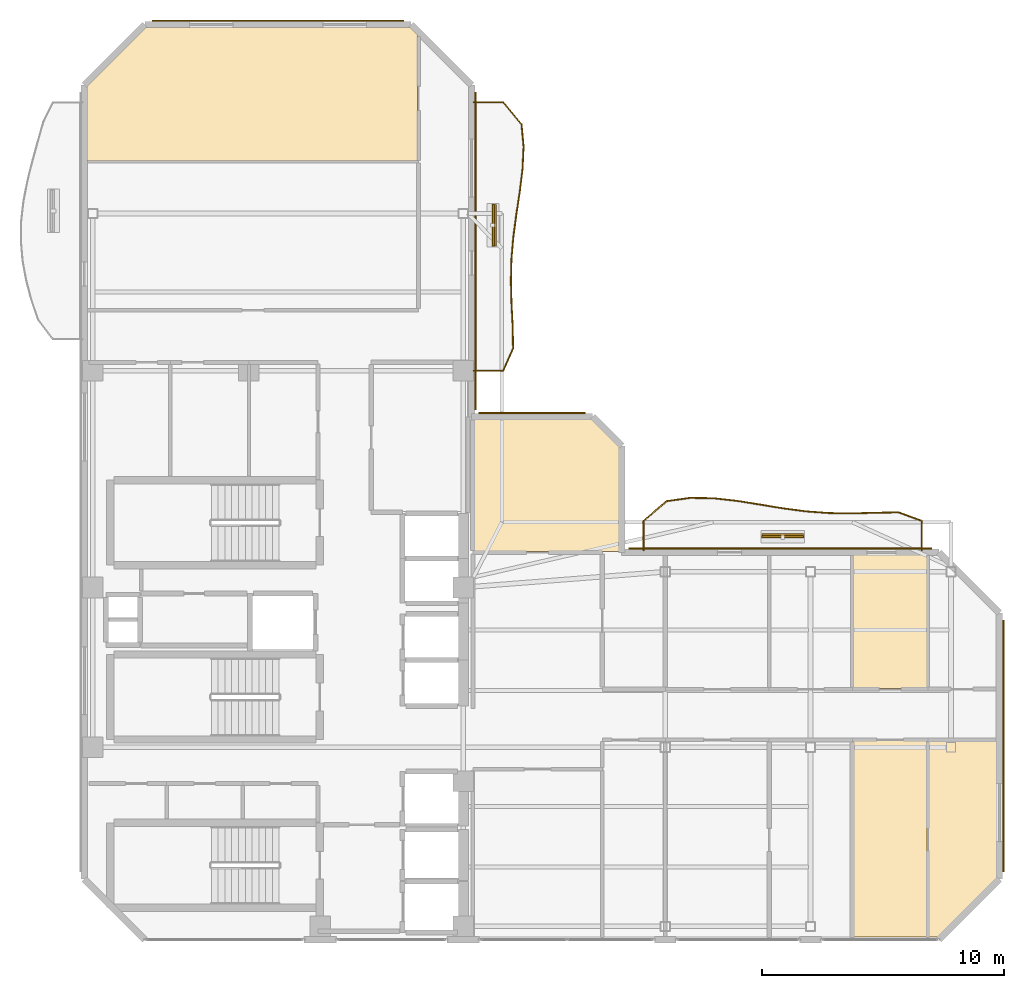
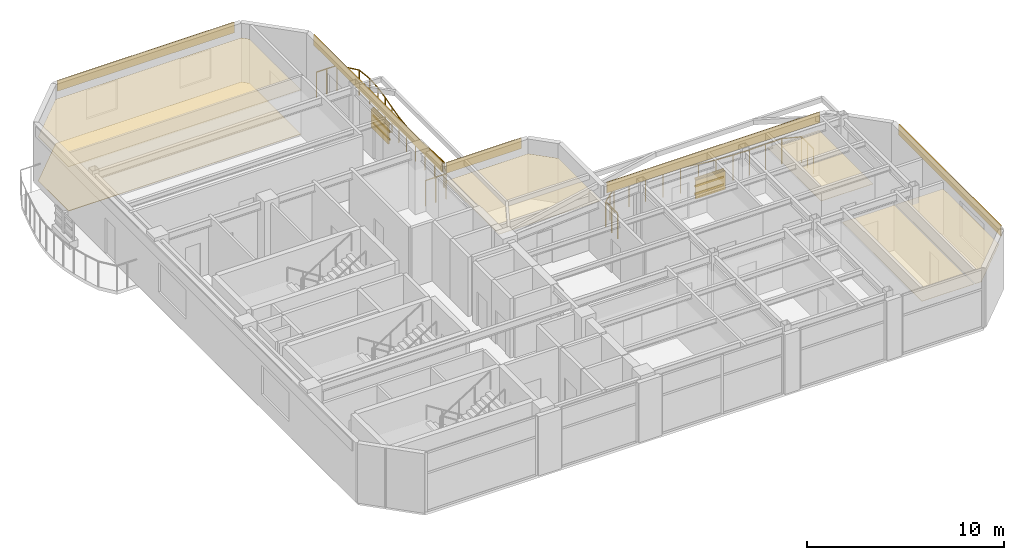
# One storey, part 15 of 15: 11 coverings, 8 shading devices, 2 railings.
"""IFC4 building model written with IfcOpenShell, lengths in metres."""

from ifc_helpers import new_model, si_unit, direction, frame, origin, origin_2d, place, context, subcontext, project, spatial, polyline, rectangle, outline, extrude, material, layer, layer_set, material_profile, profile_set, type_object, element, save


model = new_model("IFC4")

# Units and contexts
model_context = context("Model", 3, precision=1e-05, world=origin(), true_north=direction((0.0, 1.0)))
body_context = subcontext(model_context, "Body", "Model", "MODEL_VIEW")
ifc_project = project(units=[si_unit("LENGTHUNIT", "METRE"), si_unit("AREAUNIT", "SQUARE_METRE"), si_unit("VOLUMEUNIT", "CUBIC_METRE"), si_unit("PLANEANGLEUNIT", "RADIAN"), si_unit("MASSUNIT", "GRAM", prefix="KILO")], contexts=[model_context])

# Site, building, storey
site_placement = place(None, origin())
site = spatial("IfcSite", under=ifc_project, at=site_placement, CompositionType="ELEMENT")
building_placement = place(site_placement, origin())
building = spatial("IfcBuilding", under=site, at=building_placement, Name="Mawjaban Terraces University", CompositionType="ELEMENT")
storey_placement = place(building_placement, frame((0.0, 0.0, 279.39990234375)))
storey = spatial("IfcBuildingStorey", under=building, at=storey_placement, Name="L68", CompositionType="ELEMENT", Elevation=279.39990234375)

# Coverings
ifc_material_1 = material(Name="Acoustic mineral fibre ceiling tile", Category="masonry")
ifc_layer_1 = layer(ifc_material_1, 0.02001953125)
ifc_layer_set_1 = layer_set([ifc_layer_1], Name="Acoustic mineral fibre ceiling tile")
covering_type_1 = type_object("IfcCoveringType", Name="AcousticMineralCeiling_20", PredefinedType="CEILING", material=ifc_layer_set_1)
covering_1_placement = place(storey_placement, frame((0.0, 0.0, 2.75)))
element("IfcCovering", 1, at=covering_1_placement, inside=storey, type_object=covering_type_1, Name="L68 Teaching Laboratory 8 Acoustic Ceiling", PredefinedType="CEILING", context=body_context, shape_type="SweptSolid", body=[
    extrude(outline(polyline([(53.761962890625, 0.114990234375), (56.818115234375, 0.114990234375), (56.818115234375, 8.219970703125), (53.761962890625, 8.219970703125), (53.761962890625, 0.114990234375)])), origin(), (0.0, 0.0, 1.0), 0.02001953125),
])
covering_2_placement = place(storey_placement, frame((0.0, 0.0, 2.75)))
element("IfcCovering", 2, at=covering_2_placement, inside=storey, type_object=covering_type_1, Name="L68 Student Tea Pantry 9 Acoustic Ceiling", PredefinedType="CEILING", context=body_context, shape_type="SweptSolid", body=[
    extrude(outline(polyline([(56.818115234375, 15.885009765625), (53.761962890625, 15.885009765625), (53.761962890625, 10.3798828125), (56.818115234375, 10.3798828125), (56.818115234375, 15.885009765625)])), origin(), (0.0, 0.0, 1.0), 0.02001953125),
])
covering_3_placement = place(storey_placement, frame((0.0, 0.0, 2.75)))
element("IfcCovering", 3, at=covering_3_placement, inside=storey, type_object=covering_type_1, Name="L68 Student Tea Pantry 10 Acoustic Ceiling", PredefinedType="CEILING", context=body_context, shape_type="SweptSolid", body=[
    extrude(outline(polyline([(56.8779296875, 0.114990234375), (57.2529296875, 0.114990234375), (59.68505859375, 2.547119140625), (59.68505859375, 8.219970703125), (56.8779296875, 8.219970703125), (56.8779296875, 0.114990234375)])), origin(), (0.0, 0.0, 1.0), 0.02001953125),
])
covering_4_placement = place(storey_placement, frame((0.0, 0.0, 2.75)))
element("IfcCovering", 4, at=covering_4_placement, inside=storey, type_object=covering_type_1, Name="L68 Classroom 13 Acoustic Ceiling", PredefinedType="CEILING", context=body_context, shape_type="SweptSolid", body=[
    extrude(outline(polyline([(35.77001953125, 37.367919921875), (35.452880859375, 37.68505859375), (24.547119140625, 37.68505859375), (22.114990234375, 35.2529296875), (22.114990234375, 32.166015625), (35.77001953125, 32.166015625), (35.77001953125, 37.367919921875)])), origin(), (0.0, 0.0, 1.0), 0.02001953125),
])
covering_5_placement = place(storey_placement, frame((0.0, 0.0, 2.75)))
element("IfcCovering", 5, at=covering_5_placement, inside=storey, type_object=covering_type_1, Name="L68 Terrace Collaborative Study Room Acoustic Ceiling", PredefinedType="CEILING", context=body_context, shape_type="SweptSolid", body=[
    extrude(outline(polyline([(44.0849609375, 16.030029296875), (44.0849609375, 20.35302734375), (42.952880859375, 21.485107421875), (38.080078125, 21.485107421875), (38.080078125, 16.030029296875), (44.0849609375, 16.030029296875)])), origin(), (0.0, 0.0, 1.0), 0.02001953125),
])

# Railings
ifc_material_2 = material(Name="Galvanised powder-coated steel S355", Category="steel")
railing_type = type_object("IfcRailingType", Name="BalconyBalustrade_1600", PredefinedType="BALUSTRADE", material=ifc_material_2)
railing_1_placement = place(storey_placement, frame((45.10009765625, 16.080078125, 0.0)))
element("IfcRailing", 6, at=railing_1_placement, inside=storey, type_object=railing_type, Name="L68 Balcony Guardrail inner_north", PredefinedType="BALUSTRADE", context=body_context, shape_type="SweptSolid", body=[
    extrude(rectangle(XDim=0.048095703125, YDim=0.048095703125, at=origin_2d()), frame((0.0, 0.0, 1.576171875), z_axis=(0.0, 1.0, 0.0), x_axis=(-1.0, 0.0, 0.0)), (0.0, 0.0, 1.0), 1.219970703125),
    extrude(rectangle(XDim=0.048095703125, YDim=0.048095703125, at=origin_2d()), frame((0.0, 1.219970703125, 1.576171875), z_axis=(0.760158380874, 0.649737820961, 0.0), x_axis=(-0.649737820961, 0.760158380874, 0.0)), (0.0, 0.0, 1.0), 1.26025390625),
    extrude(rectangle(XDim=0.048095703125, YDim=0.048095703125, at=origin_2d()), frame((0.9580078125, 2.038818359375, 1.576171875), z_axis=(0.990511352729, 0.137430928523, 0.0), x_axis=(-0.137430928523, 0.990511352729, 0.0)), (0.0, 0.0, 1.0), 0.96826171875),
    extrude(rectangle(XDim=0.048095703125, YDim=0.048095703125, at=origin_2d()), frame((1.9169921875, 2.171875, 1.576171875), z_axis=(0.999908798007, -0.013505394061, 0.0), x_axis=(0.013505394061, 0.999908798007, 0.0)), (0.0, 0.0, 1.0), 0.9580078125),
    extrude(rectangle(XDim=0.048095703125, YDim=0.048095703125, at=origin_2d()), frame((2.875, 2.158935546875, 1.576171875), z_axis=(0.994049424747, -0.108929982834, 0.0), x_axis=(0.108929982834, 0.994049424747, 0.0)), (0.0, 0.0, 1.0), 0.963623046875),
    extrude(rectangle(XDim=0.048095703125, YDim=0.048095703125, at=origin_2d()), frame((3.8330078125, 2.053955078125, 1.576171875), z_axis=(0.987498610793, -0.157627705949, 0.0), x_axis=(0.157627705949, 0.987498610793, 0.0)), (0.0, 0.0, 1.0), 0.97119140625),
    extrude(rectangle(XDim=0.048095703125, YDim=0.048095703125, at=origin_2d()), frame((4.7919921875, 1.90087890625, 1.576171875), z_axis=(0.986677863453, -0.162686181869, 0.0), x_axis=(0.162686181869, 0.986677863453, 0.0)), (0.0, 0.0, 1.0), 0.970947265625),
    extrude(rectangle(XDim=0.048095703125, YDim=0.048095703125, at=origin_2d()), frame((5.75, 1.742919921875, 1.576171875), z_axis=(0.991333489884, -0.131369371748, 0.0), x_axis=(0.131369371748, 0.991333489884, 0.0)), (0.0, 0.0, 1.0), 0.96630859375),
    extrude(rectangle(XDim=0.048095703125, YDim=0.048095703125, at=origin_2d()), frame((6.7080078125, 1.615966796875, 1.576171875), z_axis=(0.99726706168, -0.073881037411, 0.0), x_axis=(0.073881037411, 0.99726706168, 0.0)), (0.0, 0.0, 1.0), 0.961669921875),
    extrude(rectangle(XDim=0.048095703125, YDim=0.048095703125, at=origin_2d()), frame((7.6669921875, 1.544921875, 1.576171875), z_axis=(0.999908798007, -0.013505394061, 0.0), x_axis=(0.013505394061, 0.999908798007, 0.0)), (0.0, 0.0, 1.0), 0.9580078125),
    extrude(rectangle(XDim=0.048095703125, YDim=0.048095703125, at=origin_2d()), frame((8.625, 1.531982421875, 1.576171875), z_axis=(0.999607317535, 0.028021611857, 0.0), x_axis=(-0.028021611857, 0.999607317535, 0.0)), (0.0, 0.0, 1.0), 0.95849609375),
    extrude(rectangle(XDim=0.048095703125, YDim=0.048095703125, at=origin_2d()), frame((9.5830078125, 1.558837890625, 1.576171875), z_axis=(0.999858868821, 0.016800072643, 0.0), x_axis=(-0.016800072643, 0.999858868821, 0.0)), (0.0, 0.0, 1.0), 0.959228515625),
    extrude(rectangle(XDim=0.048095703125, YDim=0.048095703125, at=origin_2d()), frame((10.5419921875, 1.574951171875, 1.576171875), z_axis=(0.93769686411, -0.347454444551, 0.0), x_axis=(0.347454444551, 0.93769686411, 0.0)), (0.0, 0.0, 1.0), 1.021728515625),
    extrude(rectangle(XDim=0.048095703125, YDim=0.048095703125, at=origin_2d()), frame((11.5, 1.219970703125, 1.576171875), z_axis=(0.0, -1.0, 0.0), x_axis=(1.0, 0.0, 0.0)), (0.0, 0.0, 1.0), 1.219970703125),
    extrude(rectangle(XDim=0.0419921875, YDim=0.0419921875, at=origin_2d()), origin(), (0.0, 0.0, 1.0), 1.552001953125),
    extrude(rectangle(XDim=0.0419921875, YDim=0.0419921875, at=origin_2d()), frame((0.0, 0.60986328125, 0.0)), (0.0, 0.0, 1.0), 1.552001953125),
    extrude(rectangle(XDim=0.0419921875, YDim=0.0419921875, at=origin_2d()), frame((0.0, 1.219970703125, 0.0)), (0.0, 0.0, 1.0), 1.552001953125),
    extrude(rectangle(XDim=0.0419921875, YDim=0.0419921875, at=origin_2d()), frame((0.47900390625, 1.62939453125, 0.0)), (0.0, 0.0, 1.0), 1.552001953125),
    extrude(rectangle(XDim=0.0419921875, YDim=0.0419921875, at=origin_2d()), frame((0.9580078125, 2.038818359375, 0.0)), (0.0, 0.0, 1.0), 1.552001953125),
    extrude(rectangle(XDim=0.0419921875, YDim=0.0419921875, at=origin_2d()), frame((1.9169921875, 2.171875, 0.0)), (0.0, 0.0, 1.0), 1.552001953125),
    extrude(rectangle(XDim=0.0419921875, YDim=0.0419921875, at=origin_2d()), frame((2.875, 2.158935546875, 0.0)), (0.0, 0.0, 1.0), 1.552001953125),
    extrude(rectangle(XDim=0.0419921875, YDim=0.0419921875, at=origin_2d()), frame((3.8330078125, 2.053955078125, 0.0)), (0.0, 0.0, 1.0), 1.552001953125),
    extrude(rectangle(XDim=0.0419921875, YDim=0.0419921875, at=origin_2d()), frame((4.7919921875, 1.90087890625, 0.0)), (0.0, 0.0, 1.0), 1.552001953125),
    extrude(rectangle(XDim=0.0419921875, YDim=0.0419921875, at=origin_2d()), frame((5.75, 1.742919921875, 0.0)), (0.0, 0.0, 1.0), 1.552001953125),
    extrude(rectangle(XDim=0.0419921875, YDim=0.0419921875, at=origin_2d()), frame((6.7080078125, 1.615966796875, 0.0)), (0.0, 0.0, 1.0), 1.552001953125),
    extrude(rectangle(XDim=0.0419921875, YDim=0.0419921875, at=origin_2d()), frame((7.6669921875, 1.544921875, 0.0)), (0.0, 0.0, 1.0), 1.552001953125),
    extrude(rectangle(XDim=0.0419921875, YDim=0.0419921875, at=origin_2d()), frame((8.625, 1.531982421875, 0.0)), (0.0, 0.0, 1.0), 1.552001953125),
    extrude(rectangle(XDim=0.0419921875, YDim=0.0419921875, at=origin_2d()), frame((9.5830078125, 1.558837890625, 0.0)), (0.0, 0.0, 1.0), 1.552001953125),
    extrude(rectangle(XDim=0.0419921875, YDim=0.0419921875, at=origin_2d()), frame((10.5419921875, 1.574951171875, 0.0)), (0.0, 0.0, 1.0), 1.552001953125),
    extrude(rectangle(XDim=0.0419921875, YDim=0.0419921875, at=origin_2d()), frame((11.5, 1.219970703125, 0.0)), (0.0, 0.0, 1.0), 1.552001953125),
    extrude(rectangle(XDim=0.0419921875, YDim=0.0419921875, at=origin_2d()), frame((11.5, 0.60986328125, 0.0)), (0.0, 0.0, 1.0), 1.552001953125),
    extrude(rectangle(XDim=0.0419921875, YDim=0.0419921875, at=origin_2d()), frame((11.5, 0.0, 0.0)), (0.0, 0.0, 1.0), 1.552001953125),
])
railing_2_placement = place(storey_placement, frame((38.080078125, 23.5, 0.0)))
element("IfcRailing", 7, at=railing_2_placement, inside=storey, type_object=railing_type, Name="L68 Balcony Guardrail inner_east", PredefinedType="BALUSTRADE", context=body_context, shape_type="SweptSolid", body=[
    extrude(rectangle(XDim=0.048095703125, YDim=0.048095703125, at=origin_2d()), frame((0.0, 0.0, 1.576171875), z_axis=(1.0, 0.0, 0.0), x_axis=(0.0, 1.0, 0.0)), (0.0, 0.0, 1.0), 1.219970703125),
    extrude(rectangle(XDim=0.048095703125, YDim=0.048095703125, at=origin_2d()), frame((1.219970703125, 0.0, 1.576171875), z_axis=(0.408550924657, 0.912735526843, 0.0), x_axis=(-0.912735526843, 0.408550924657, 0.0)), (0.0, 0.0, 1.0), 1.013427734375),
    extrude(rectangle(XDim=0.048095703125, YDim=0.048095703125, at=origin_2d()), frame((1.634033203125, 0.925048828125, 1.576171875), z_axis=(-0.017416202044, 0.999848326451, 0.0), x_axis=(-0.999848326451, -0.017416202044, 0.0)), (0.0, 0.0, 1.0), 0.92529296875),
    extrude(rectangle(XDim=0.048095703125, YDim=0.048095703125, at=origin_2d()), frame((1.617919921875, 1.85009765625, 1.576171875), z_axis=(-0.051936148439, 0.998650407543, 0.0), x_axis=(-0.998650407543, -0.051936148439, 0.0)), (0.0, 0.0, 1.0), 0.926025390625),
    extrude(rectangle(XDim=0.048095703125, YDim=0.048095703125, at=origin_2d()), frame((1.56982421875, 2.77490234375, 1.576171875), z_axis=(-0.027964778138, 0.999608909116, 0.0), x_axis=(-0.999608909116, -0.027964778138, 0.0)), (0.0, 0.0, 1.0), 0.92529296875),
    extrude(rectangle(XDim=0.048095703125, YDim=0.048095703125, at=origin_2d()), frame((1.5439453125, 3.699951171875, 1.576171875), z_axis=(0.025855697331, 0.999665685575, 0.0), x_axis=(-0.999665685575, 0.025855697331, 0.0)), (0.0, 0.0, 1.0), 0.92529296875),
    extrude(rectangle(XDim=0.048095703125, YDim=0.048095703125, at=origin_2d()), frame((1.56787109375, 4.625, 1.576171875), z_axis=(0.086243835153, 0.996274059131, 0.0), x_axis=(-0.996274059131, 0.086243835153, 0.0)), (0.0, 0.0, 1.0), 0.928466796875),
    extrude(rectangle(XDim=0.048095703125, YDim=0.048095703125, at=origin_2d()), frame((1.64794921875, 5.550048828125, 1.576171875), z_axis=(0.132883319508, 0.991131688221, 0.0), x_axis=(-0.991131688221, 0.132883319508, 0.0)), (0.0, 0.0, 1.0), 0.933349609375),
    extrude(rectangle(XDim=0.048095703125, YDim=0.048095703125, at=origin_2d()), frame((1.77197265625, 6.47509765625, 1.576171875), z_axis=(0.147523258078, 0.989058586903, 0.0), x_axis=(-0.989058586903, 0.147523258078, 0.0)), (0.0, 0.0, 1.0), 0.93505859375),
    extrude(rectangle(XDim=0.048095703125, YDim=0.048095703125, at=origin_2d()), frame((1.909912109375, 7.39990234375, 1.576171875), z_axis=(0.122325897089, 0.992489987305, 0.0), x_axis=(-0.992489987305, 0.122325897089, 0.0)), (0.0, 0.0, 1.0), 0.93212890625),
    extrude(rectangle(XDim=0.048095703125, YDim=0.048095703125, at=origin_2d()), frame((2.02392578125, 8.324951171875, 1.576171875), z_axis=(0.048504467056, 0.998822965633, 0.0), x_axis=(-0.998822965633, 0.048504467056, 0.0)), (0.0, 0.0, 1.0), 0.926025390625),
    extrude(rectangle(XDim=0.048095703125, YDim=0.048095703125, at=origin_2d()), frame((2.06884765625, 9.25, 1.576171875), z_axis=(-0.091459870535, 0.995808762806, 0.0), x_axis=(-0.995808762806, -0.091459870535, 0.0)), (0.0, 0.0, 1.0), 0.928955078125),
    extrude(rectangle(XDim=0.048095703125, YDim=0.048095703125, at=origin_2d()), frame((1.98388671875, 10.175048828125, 1.576171875), z_axis=(-0.636755221993, 0.771066007073, 0.0), x_axis=(-0.771066007073, -0.636755221993, 0.0)), (0.0, 0.0, 1.0), 1.19970703125),
    extrude(rectangle(XDim=0.048095703125, YDim=0.048095703125, at=origin_2d()), frame((1.219970703125, 11.10009765625, 1.576171875), z_axis=(-1.0, 0.0, 0.0), x_axis=(0.0, -1.0, 0.0)), (0.0, 0.0, 1.0), 1.219970703125),
    extrude(rectangle(XDim=0.0419921875, YDim=0.0419921875, at=origin_2d()), origin(), (0.0, 0.0, 1.0), 1.552001953125),
    extrude(rectangle(XDim=0.0419921875, YDim=0.0419921875, at=origin_2d()), frame((0.60986328125, 0.0, 0.0)), (0.0, 0.0, 1.0), 1.552001953125),
    extrude(rectangle(XDim=0.0419921875, YDim=0.0419921875, at=origin_2d()), frame((1.219970703125, 0.0, 0.0)), (0.0, 0.0, 1.0), 1.552001953125),
    extrude(rectangle(XDim=0.0419921875, YDim=0.0419921875, at=origin_2d()), frame((1.634033203125, 0.925048828125, 0.0)), (0.0, 0.0, 1.0), 1.552001953125),
    extrude(rectangle(XDim=0.0419921875, YDim=0.0419921875, at=origin_2d()), frame((1.617919921875, 1.85009765625, 0.0)), (0.0, 0.0, 1.0), 1.552001953125),
    extrude(rectangle(XDim=0.0419921875, YDim=0.0419921875, at=origin_2d()), frame((1.56982421875, 2.77490234375, 0.0)), (0.0, 0.0, 1.0), 1.552001953125),
    extrude(rectangle(XDim=0.0419921875, YDim=0.0419921875, at=origin_2d()), frame((1.5439453125, 3.699951171875, 0.0)), (0.0, 0.0, 1.0), 1.552001953125),
    extrude(rectangle(XDim=0.0419921875, YDim=0.0419921875, at=origin_2d()), frame((1.56787109375, 4.625, 0.0)), (0.0, 0.0, 1.0), 1.552001953125),
    extrude(rectangle(XDim=0.0419921875, YDim=0.0419921875, at=origin_2d()), frame((1.64794921875, 5.550048828125, 0.0)), (0.0, 0.0, 1.0), 1.552001953125),
    extrude(rectangle(XDim=0.0419921875, YDim=0.0419921875, at=origin_2d()), frame((1.77197265625, 6.47509765625, 0.0)), (0.0, 0.0, 1.0), 1.552001953125),
    extrude(rectangle(XDim=0.0419921875, YDim=0.0419921875, at=origin_2d()), frame((1.909912109375, 7.39990234375, 0.0)), (0.0, 0.0, 1.0), 1.552001953125),
    extrude(rectangle(XDim=0.0419921875, YDim=0.0419921875, at=origin_2d()), frame((2.02392578125, 8.324951171875, 0.0)), (0.0, 0.0, 1.0), 1.552001953125),
    extrude(rectangle(XDim=0.0419921875, YDim=0.0419921875, at=origin_2d()), frame((2.06884765625, 9.25, 0.0)), (0.0, 0.0, 1.0), 1.552001953125),
    extrude(rectangle(XDim=0.0419921875, YDim=0.0419921875, at=origin_2d()), frame((1.98388671875, 10.175048828125, 0.0)), (0.0, 0.0, 1.0), 1.552001953125),
    extrude(rectangle(XDim=0.0419921875, YDim=0.0419921875, at=origin_2d()), frame((1.219970703125, 11.10009765625, 0.0)), (0.0, 0.0, 1.0), 1.552001953125),
    extrude(rectangle(XDim=0.0419921875, YDim=0.0419921875, at=origin_2d()), frame((0.60986328125, 11.10009765625, 0.0)), (0.0, 0.0, 1.0), 1.552001953125),
    extrude(rectangle(XDim=0.0419921875, YDim=0.0419921875, at=origin_2d()), frame((0.0, 11.10009765625, 0.0)), (0.0, 0.0, 1.0), 1.552001953125),
])

# Shading devices
ifc_material_3 = material(Name="Glazed architectural terracotta ceramic", Category="masonry")
ifc_material_profile = material_profile(ifc_material_3, rectangle(XDim=0.06494140625, YDim=0.110107421875, at=origin_2d()), Name="TBAG110X65")
ifc_profile_set = profile_set([ifc_material_profile], Name="Glazed architectural terracotta ceramic")
shading_device_type_1 = type_object("IfcShadingDeviceType", Name="TerracottaBaguette_110x65", PredefinedType="USERDEFINED", material=ifc_profile_set)
for number, where, z_axis, x_axis, name in (
    (8, (50.0, 16.72998046875, 0.68017578125), (1.0, 0.0, 0.0), (0.0, 1.0, 0.0), "L68 Horizontal Terracotta Baguette inner_north.1"),
    (9, (50.0, 16.72998046875, 1.150146484375), (1.0, 0.0, 0.0), (0.0, 1.0, 0.0), "L68 Horizontal Terracotta Baguette inner_north.2"),
    (10, (50.0, 16.72998046875, 1.6201171875), (1.0, 0.0, 0.0), (0.0, 1.0, 0.0), "L68 Horizontal Terracotta Baguette inner_north.3"),
    (11, (38.97509765625, 28.6630859375, 0.68017578125), (0.0, 1.0, 0.0), (-1.0, 0.0, 0.0), "L68 Horizontal Terracotta Baguette inner_east.1"),
    (12, (38.97509765625, 28.6630859375, 1.150146484375), (0.0, 1.0, 0.0), (-1.0, 0.0, 0.0), "L68 Horizontal Terracotta Baguette inner_east.2"),
    (13, (38.97509765625, 28.6630859375, 1.6201171875), (0.0, 1.0, 0.0), (-1.0, 0.0, 0.0), "L68 Horizontal Terracotta Baguette inner_east.3"),
):
    element("IfcShadingDevice", number, at=place(storey_placement, frame(where, z_axis=z_axis, x_axis=x_axis)), inside=storey, type_object=shading_device_type_1, Name=name, ObjectType="BAGUETTE", PredefinedType="USERDEFINED", context=body_context, shape_type="SweptSolid", body=[
        extrude(rectangle(XDim=0.06494140625, YDim=0.110107421875, at=origin_2d()), origin(), (0.0, 0.0, 1.0), 1.699951171875),
    ])
ifc_layer_2 = layer(ifc_material_3, 0.080078125)
ifc_layer_set_2 = layer_set([ifc_layer_2], Name="Glazed architectural terracotta ceramic")
shading_device_type_2 = type_object("IfcShadingDeviceType", Name="TerracottaScreen_Perforated", PredefinedType="USERDEFINED", material=ifc_layer_set_2)
for number, where, z_axis, x_axis, name in (
    (14, (50.85009765625, 16.64501953125, 0.440185546875), (0.0, 0.0, 1.0), (1.0, 0.0, 0.0), "L68 Balcony Perforated Terracotta Screen inner_north"),
    (15, (38.889892578125, 29.512939453125, 0.440185546875), (0.0, 0.0, 1.0), (0.0, 1.0, 0.0), "L68 Balcony Perforated Terracotta Screen inner_east"),
):
    element("IfcShadingDevice", number, at=place(storey_placement, frame(where, z_axis=z_axis, x_axis=x_axis)), inside=storey, type_object=shading_device_type_2, Name=name, ObjectType="SCREEN", PredefinedType="USERDEFINED", context=body_context, shape_type="SweptSolid", body=[
        extrude(rectangle(XDim=1.75, YDim=0.080078125, at=origin_2d()), origin(), (0.0, 0.0, 1.0), 1.14990234375),
    ])

# Coverings
ifc_material_4 = material(Name="Glazed architectural terracotta rainscreen", Category="masonry")
ifc_layer_3 = layer(ifc_material_4, 0.06005859375)
ifc_layer_set_3 = layer_set([ifc_layer_3], Name="Glazed architectural terracotta rainscreen")
covering_type_2 = type_object("IfcCoveringType", Name="TerracottaSpandrelCladding_60", PredefinedType="CLADDING", material=ifc_layer_set_3)
covering_6_placement = place(storey_placement, frame((59.9619140625, 8.0, 3.01513671875), z_axis=(0.0, 0.0, 1.0), x_axis=(0.0, 1.0, 0.0)))
element("IfcCovering", 16, at=covering_6_placement, inside=storey, type_object=covering_type_2, Name="L68 Terracotta Spandrel Cladding 3", PredefinedType="CLADDING", context=body_context, shape_type="SweptSolid", body=[
    extrude(rectangle(XDim=10.39990234375, YDim=0.06005859375, at=origin_2d()), origin(), (0.0, 0.0, 1.0), 0.64990234375),
])
covering_7_placement = place(storey_placement, frame((50.75, 16.1630859375, 3.01513671875), z_axis=(0.0, 0.0, 1.0), x_axis=(-1.0, 0.0, 0.0)))
element("IfcCovering", 17, at=covering_7_placement, inside=storey, type_object=covering_type_2, Name="L68 Terracotta Spandrel Cladding 5", PredefinedType="CLADDING", context=body_context, shape_type="SweptSolid", body=[
    extrude(rectangle(XDim=12.5, YDim=0.06005859375, at=origin_2d()), origin(), (0.0, 0.0, 1.0), 0.64990234375),
])
covering_8_placement = place(storey_placement, frame((40.5, 21.762939453125, 3.01513671875), z_axis=(0.0, 0.0, 1.0), x_axis=(-1.0, 0.0, 0.0)))
element("IfcCovering", 18, at=covering_8_placement, inside=storey, type_object=covering_type_2, Name="L68 Terracotta Spandrel Cladding 8", PredefinedType="CLADDING", context=body_context, shape_type="SweptSolid", body=[
    extrude(rectangle(XDim=4.39990234375, YDim=0.06005859375, at=origin_2d()), origin(), (0.0, 0.0, 1.0), 0.64990234375),
])
covering_9_placement = place(storey_placement, frame((38.1630859375, 28.449951171875, 3.01513671875), z_axis=(0.0, 0.0, 1.0), x_axis=(0.0, 1.0, 0.0)))
element("IfcCovering", 19, at=covering_9_placement, inside=storey, type_object=covering_type_2, Name="L68 Terracotta Spandrel Cladding 9", PredefinedType="CLADDING", context=body_context, shape_type="SweptSolid", body=[
    extrude(rectangle(XDim=13.10009765625, YDim=0.06005859375, at=origin_2d()), origin(), (0.0, 0.0, 1.0), 0.64990234375),
])
covering_10_placement = place(storey_placement, frame((30.0, 37.9619140625, 3.01513671875), z_axis=(0.0, 0.0, 1.0), x_axis=(-1.0, 0.0, 0.0)))
element("IfcCovering", 20, at=covering_10_placement, inside=storey, type_object=covering_type_2, Name="L68 Terracotta Spandrel Cladding 11", PredefinedType="CLADDING", context=body_context, shape_type="SweptSolid", body=[
    extrude(rectangle(XDim=10.39990234375, YDim=0.06005859375, at=origin_2d()), origin(), (0.0, 0.0, 1.0), 0.64990234375),
])
ifc_material_5 = material(Name="Polished Hijazi granite terrazzo flooring", Category="masonry")
ifc_layer_4 = layer(ifc_material_5, 0.02490234375)
ifc_layer_set_4 = layer_set([ifc_layer_4], Name="Polished Hijazi granite terrazzo flooring")
covering_type_3 = type_object("IfcCoveringType", Name="TerrazzoConcourseFlooring_25", PredefinedType="FLOORING", material=ifc_layer_set_4)
covering_11_placement = place(storey_placement, origin())
element("IfcCovering", 21, at=covering_11_placement, inside=storey, type_object=covering_type_3, Name="L68 Classroom 13 Terrazzo Flooring", PredefinedType="FLOORING", context=body_context, shape_type="SweptSolid", body=[
    extrude(outline(polyline([(35.77001953125, 37.367919921875), (35.452880859375, 37.68505859375), (24.547119140625, 37.68505859375), (22.114990234375, 35.2529296875), (22.114990234375, 32.166015625), (35.77001953125, 32.166015625), (35.77001953125, 37.367919921875)])), origin(), (0.0, 0.0, 1.0), 0.025146484375),
])

save(model, "model.ifc")
